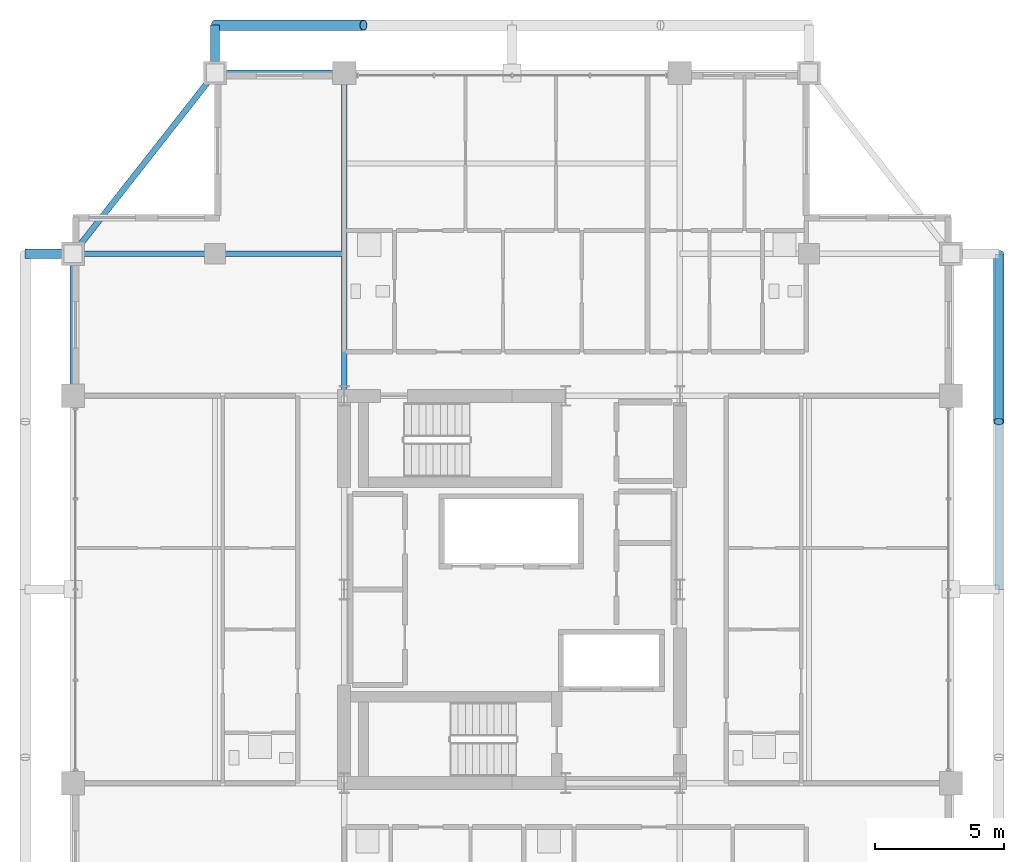
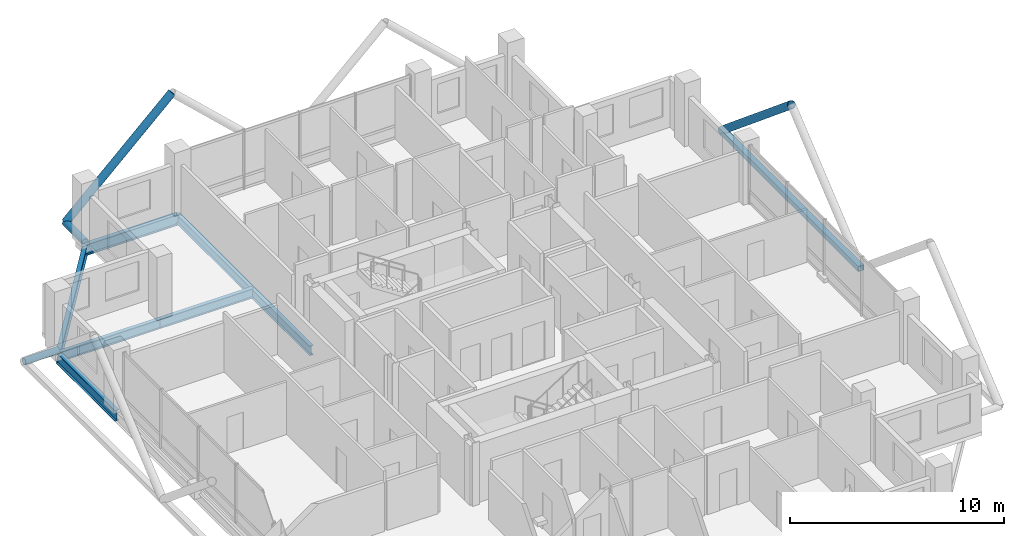
# One storey, part 14 of 25: 6 beams, 5 members.
"""IFC4 building model written with IfcOpenShell, lengths in metres."""

from ifc_helpers import new_model, si_unit, direction, frame, origin, origin_2d, place, context, subcontext, project, spatial, hollow_rectangle, hollow_circle, i_section, extrude, material, material_profile, profile_set, type_object, element, save


model = new_model("IFC4")

# Units and contexts
model_context = context("Model", 3, precision=1e-05, world=origin(), true_north=direction((0.0, 1.0)))
body_context = subcontext(model_context, "Body", "Model", "MODEL_VIEW")
ifc_project = project(units=[si_unit("LENGTHUNIT", "METRE"), si_unit("AREAUNIT", "SQUARE_METRE"), si_unit("VOLUMEUNIT", "CUBIC_METRE"), si_unit("PLANEANGLEUNIT", "RADIAN"), si_unit("MASSUNIT", "GRAM", prefix="KILO")], contexts=[model_context])

# Site, building, storey
site_placement = place(None, origin())
site = spatial("IfcSite", under=ifc_project, at=site_placement, CompositionType="ELEMENT")
building_placement = place(site_placement, origin())
building = spatial("IfcBuilding", under=site, at=building_placement, Name="Barlavira Tower and Art Museum", CompositionType="ELEMENT")
storey_placement = place(building_placement, frame((0.0, 0.0, 229.5)))
storey = spatial("IfcBuildingStorey", under=building, at=storey_placement, Name="L59", CompositionType="ELEMENT", Elevation=229.5)

# Members
ifc_material = material(Name="Steel S355", Category="steel")
ifc_material_profile_1 = material_profile(ifc_material, hollow_circle(Radius=0.203125, WallThickness=0.01611328125, at=origin_2d()), Name="CHS 406.4x16.0")
ifc_profile_set_1 = profile_set([ifc_material_profile_1], Name="Steel S355")
member_type_1 = type_object("IfcMemberType", Name="Pale-Metal Exoskeleton Diagrid Tube CHS 406x16 Steel S355", PredefinedType="BRACE", material=ifc_profile_set_1)
member_1_placement = place(storey_placement, frame((-11.5, 21.85009765625, -0.1201171875), z_axis=(0.728934650808, 0.0, 0.684583285548), x_axis=(0.0, 1.0, 0.0)))
element("IfcMember", 1, at=member_1_placement, inside=storey, type_object=member_type_1, Name="L59 Exoskeleton Diagrid Tube N", PredefinedType="BRACE", context=body_context, shape_type="SweptSolid", body=[
    extrude(hollow_circle(Radius=0.203125, WallThickness=0.01611328125, at=origin_2d()), origin(), (0.0, 0.0, 1.0), 7.88818359375),
])
member_2_placement = place(storey_placement, frame((18.85009765625, 13.0, -0.1201171875), z_axis=(0.0, -0.76918185268, 0.639029950399), x_axis=(1.0, 0.0, 0.0)))
element("IfcMember", 2, at=member_2_placement, inside=storey, type_object=member_type_1, Name="L59 Exoskeleton Diagrid Tube E", PredefinedType="BRACE", context=body_context, shape_type="SweptSolid", body=[
    extrude(hollow_circle(Radius=0.203125, WallThickness=0.01611328125, at=origin_2d()), origin(), (0.0, 0.0, 1.0), 8.450439453125),
])
ifc_material_profile_2 = material_profile(ifc_material, hollow_circle(Radius=0.177734375, WallThickness=0.01611328125, at=origin_2d()), Name="CHS 355.6x16.0")
ifc_profile_set_2 = profile_set([ifc_material_profile_2], Name="Steel S355")
member_type_2 = type_object("IfcMemberType", Name="Pale-Metal Exoskeleton Tie Strut CHS 356x16 Steel S355", PredefinedType="STRUT", material=ifc_profile_set_2)
for number, where, z_axis, x_axis, name in (
    (3, (-11.5, 21.85009765625, -0.1201171875), (0.0, -1.0, 0.0), (1.0, 0.0, 0.0), "L59 Exoskeleton Tie Strut N1"),
    (4, (-18.85009765625, 13.0, -0.1201171875), (1.0, 0.0, 0.0), (0.0, 1.0, 0.0), "L59 Exoskeleton Tie Strut W3"),
):
    element("IfcMember", number, at=place(storey_placement, frame(where, z_axis=z_axis, x_axis=x_axis)), inside=storey, type_object=member_type_2, Name=name, PredefinedType="STRUT", context=body_context, shape_type="SweptSolid", body=[
        extrude(hollow_circle(Radius=0.177734375, WallThickness=0.01611328125, at=origin_2d()), origin(), (0.0, 0.0, 1.0), 1.85009765625),
    ])
ifc_material_profile_3 = material_profile(ifc_material, hollow_rectangle(XDim=0.300048828125, YDim=0.300048828125, WallThickness=0.01611328125, at=origin_2d()), Name="SHS 300x300x16.0")
ifc_profile_set_3 = profile_set([ifc_material_profile_3], Name="Steel S355")
member_type_3 = type_object("IfcMemberType", Name="Pale-Metal Upper Ring Strut SHS 300x300x16 Steel S355", PredefinedType="STRUT", material=ifc_profile_set_3)
member_3_placement = place(storey_placement, frame((18.85009765625, 0.0, -0.1201171875), z_axis=(0.0, 1.0, 0.0), x_axis=(-1.0, 0.0, 0.0)))
element("IfcMember", 5, at=member_3_placement, inside=storey, type_object=member_type_3, Name="L59 Exoskeleton Ring Strut E", PredefinedType="STRUT", context=body_context, shape_type="SweptSolid", body=[
    extrude(hollow_rectangle(XDim=0.300048828125, YDim=0.300048828125, WallThickness=0.01611328125, at=origin_2d()), origin(), (0.0, 0.0, 1.0), 13.0),
])

# Beams
ifc_material_profile_4 = material_profile(ifc_material, i_section(OverallWidth=0.22998046875, OverallDepth=0.616943359375, WebThickness=0.01318359375, FlangeThickness=0.022216796875, at=origin_2d()), Name="W610x140.0")
ifc_profile_set_4 = profile_set([ifc_material_profile_4], Name="Steel S355")
beam_type_1 = type_object("IfcBeamType", Name="Upper Shaft Spandrel Edge Beam W610x140 Steel S355", PredefinedType="SPANDREL", material=ifc_profile_set_4)
beam_1_placement = place(storey_placement, frame((-11.5, 20.0, -0.528564453125), z_axis=(1.0, 0.0, 0.0), x_axis=(0.0, 1.0, 0.0)))
element("IfcBeam", 6, at=beam_1_placement, inside=storey, type_object=beam_type_1, Name="L59 Spandrel 11", PredefinedType="SPANDREL", context=body_context, shape_type="SweptSolid", body=[
    extrude(i_section(OverallWidth=0.22998046875, OverallDepth=0.616943359375, WebThickness=0.01318359375, FlangeThickness=0.022216796875, at=origin_2d()), origin(), (0.0, 0.0, 1.0), 5.0),
])
beam_2_placement = place(storey_placement, frame((-11.5, 20.0, -0.528564453125), z_axis=(-0.617821551932, -0.786318338822, 0.0), x_axis=(0.786318338822, -0.617821551932, 0.0)))
element("IfcBeam", 7, at=beam_2_placement, inside=storey, type_object=beam_type_1, Name="L59 Spandrel 12", PredefinedType="SPANDREL", context=body_context, shape_type="SweptSolid", body=[
    extrude(i_section(OverallWidth=0.22998046875, OverallDepth=0.616943359375, WebThickness=0.01318359375, FlangeThickness=0.022216796875, at=origin_2d()), origin(), (0.0, 0.0, 1.0), 8.90234375),
])
beam_3_placement = place(storey_placement, frame((-17.0, 7.5, -0.528564453125), z_axis=(0.0, 1.0, 0.0), x_axis=(-1.0, 0.0, 0.0)))
element("IfcBeam", 8, at=beam_3_placement, inside=storey, type_object=beam_type_1, Name="L59 Spandrel 13", PredefinedType="SPANDREL", context=body_context, shape_type="SweptSolid", body=[
    extrude(i_section(OverallWidth=0.22998046875, OverallDepth=0.616943359375, WebThickness=0.01318359375, FlangeThickness=0.022216796875, at=origin_2d()), origin(), (0.0, 0.0, 1.0), 5.5),
])
ifc_material_profile_5 = material_profile(ifc_material, i_section(OverallWidth=0.2109375, OverallDepth=0.5390625, WebThickness=0.01171875, FlangeThickness=0.018798828125, at=origin_2d()), Name="W530x109.0")
ifc_profile_set_5 = profile_set([ifc_material_profile_5], Name="Steel S355")
beam_type_2 = type_object("IfcBeamType", Name="Zone 3-4 Primary Floor Girder W530x109 Steel S355", PredefinedType="BEAM", material=ifc_profile_set_5)
beam_4_placement = place(storey_placement, frame((-6.5, 7.5, -0.489501953125), z_axis=(0.0, 1.0, 0.0), x_axis=(-1.0, 0.0, 0.0)))
element("IfcBeam", 9, at=beam_4_placement, inside=storey, type_object=beam_type_2, Name="L59 Girder R-N1", PredefinedType="BEAM", context=body_context, shape_type="SweptSolid", body=[
    extrude(i_section(OverallWidth=0.2109375, OverallDepth=0.5390625, WebThickness=0.01171875, FlangeThickness=0.018798828125, at=origin_2d()), origin(), (0.0, 0.0, 1.0), 12.5),
])
beam_5_placement = place(storey_placement, frame((-17.0, 13.0, -0.489501953125), z_axis=(1.0, 0.0, 0.0), x_axis=(0.0, 1.0, 0.0)))
element("IfcBeam", 10, at=beam_5_placement, inside=storey, type_object=beam_type_2, Name="L59 Girder I-N1", PredefinedType="BEAM", context=body_context, shape_type="SweptSolid", body=[
    extrude(i_section(OverallWidth=0.2109375, OverallDepth=0.5390625, WebThickness=0.01171875, FlangeThickness=0.018798828125, at=origin_2d()), origin(), (0.0, 0.0, 1.0), 5.5),
])
beam_6_placement = place(storey_placement, frame((-11.5, 13.0, -0.489501953125), z_axis=(1.0, 0.0, 0.0), x_axis=(0.0, 1.0, 0.0)))
element("IfcBeam", 11, at=beam_6_placement, inside=storey, type_object=beam_type_2, Name="L59 Girder I-N2", PredefinedType="BEAM", context=body_context, shape_type="SweptSolid", body=[
    extrude(i_section(OverallWidth=0.2109375, OverallDepth=0.5390625, WebThickness=0.01171875, FlangeThickness=0.018798828125, at=origin_2d()), origin(), (0.0, 0.0, 1.0), 5.0),
])

save(model, "model.ifc")
